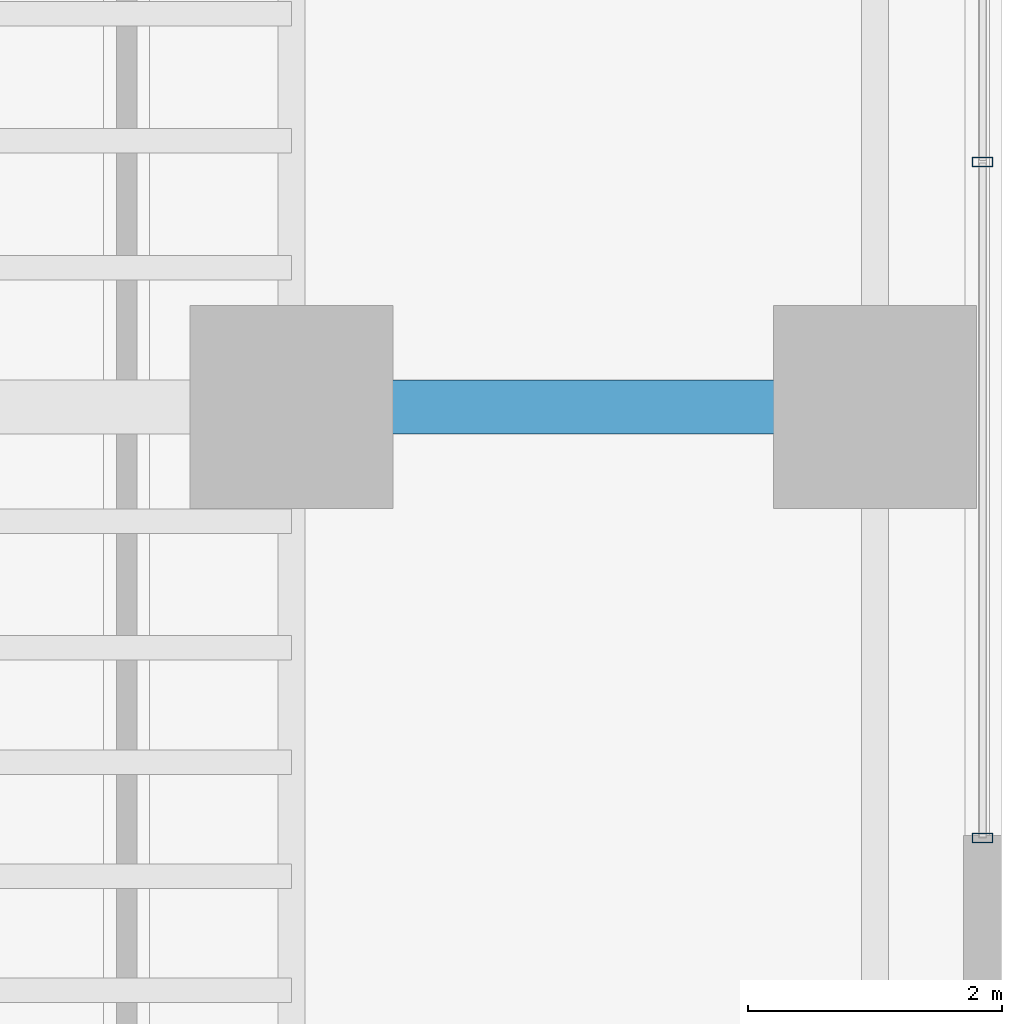
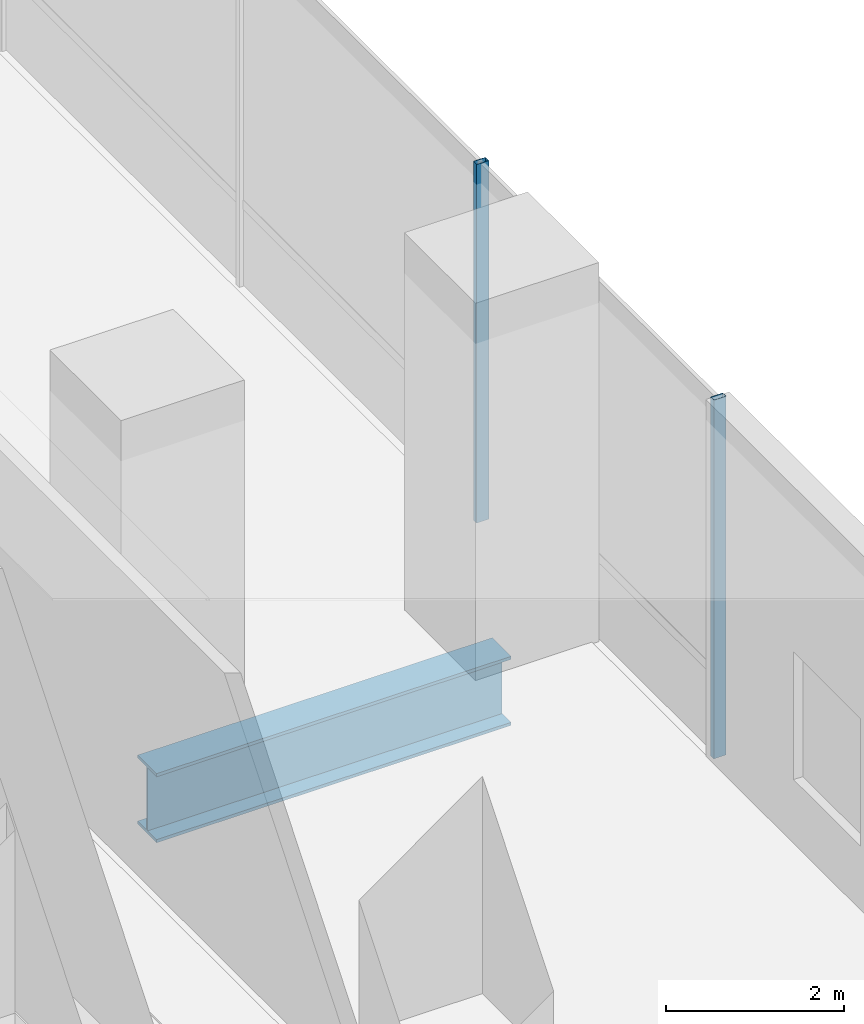
# One storey, part 20 of 39: 2 members, 1 beam, 1 element without a shape of its own.
"""IFC4 building model written with IfcOpenShell, lengths in metres."""

import ifcopenshell
import ifcopenshell.guid

model = None  # the IFC model being written
_history = None  # IfcOwnerHistory: only IFC2X3 demands one
_inside = {}  # id of a spatial element -> (the spatial element, [elements in it])
_under = {}  # id of a project, library or spatial element -> (it, [spatial elements below it])
_declared = {}  # id of a project -> (the project, [libraries it declares])
_typed = {}  # id of a type object -> (the type object, [elements of that type])
_made_of = {}  # id of a material, layer set ... -> (it, [elements and type objects made of it])


def new_model(schema):
    """Start an empty IFC model of exactly this schema.

    Asked for "IFC4X3", IfcOpenShell would pick the latest addendum, in which some entities
    have other attributes; the version numbers below select the first issue.
    IFC2X3 requires an IfcOwnerHistory on every rooted entity: one is made here for all.
    """
    global model, _history
    if schema == "IFC4X3":
        model = ifcopenshell.file(schema_version=(4, 3, 0, 0))
    else:
        model = ifcopenshell.file(schema=schema)
    _inside.clear()
    _under.clear()
    _declared.clear()
    _typed.clear()
    _made_of.clear()
    _history = None
    if model.schema == "IFC2X3":
        org = make("IfcOrganization", Name="unknown")
        user = make(
            "IfcPersonAndOrganization",
            ThePerson=make("IfcPerson", FamilyName="unknown"),
            TheOrganization=org,
        )
        app = make(
            "IfcApplication",
            ApplicationDeveloper=org,
            Version="unknown",
            ApplicationFullName="unknown",
            ApplicationIdentifier="unknown",
        )
        _history = make(
            "IfcOwnerHistory",
            OwningUser=user,
            OwningApplication=app,
            ChangeAction="ADDED",
            CreationDate=0,
        )
    return model


def make(cls, **values):
    """One entity of the class cls with the attributes given. An attribute that is None is left unset."""
    return model.create_entity(
        cls, **{name: value for name, value in values.items() if value is not None}
    )


def rooted(cls, **values):
    """An entity with a GlobalId (a new one), such as an element, a storey or a relation."""
    return make(cls, GlobalId=ifcopenshell.guid.new(), OwnerHistory=_history, **values)


def si_unit(unit_type, name, prefix=None):
    """IfcSIUnit, for example si_unit("LENGTHUNIT", "METRE", prefix="MILLI")."""
    return make("IfcSIUnit", UnitType=unit_type, Prefix=prefix, Name=name)


def assignment(units):
    """IfcUnitAssignment: the units of a project."""
    return None if units is None else make("IfcUnitAssignment", Units=units)


def point(xyz):
    """IfcCartesianPoint."""
    return None if xyz is None else make("IfcCartesianPoint", Coordinates=xyz)


def direction(xyz):
    """IfcDirection."""
    return None if xyz is None else make("IfcDirection", DirectionRatios=xyz)


def frame(location, z_axis=None, x_axis=None):
    """IfcAxis2Placement3D, a coordinate frame: its origin and axes. An axis left out is left unset."""
    return make(
        "IfcAxis2Placement3D",
        Location=point(location),
        Axis=direction(z_axis),
        RefDirection=direction(x_axis),
    )


def frame_2d(location, x_axis=None):
    """IfcAxis2Placement2D, a coordinate frame in the plane: its origin and x axis."""
    return make(
        "IfcAxis2Placement2D", Location=point(location), RefDirection=direction(x_axis)
    )


def origin():
    """The frame at (0, 0, 0) with its axes left unset."""
    return frame((0.0, 0.0, 0.0))


def origin_2d():
    """The frame at (0, 0) in the plane with its x axis left unset."""
    return frame_2d((0.0, 0.0))


def place(relative_to, where):
    """IfcLocalPlacement: puts the frame where relative to a parent placement (None: the world)."""
    return make(
        "IfcLocalPlacement", PlacementRelTo=relative_to, RelativePlacement=where
    )


def context(
    kind, dimensions, precision=None, world=None, true_north=None, identifier=None
):
    """IfcGeometricRepresentationContext, for example the 3D "Model" context."""
    return make(
        "IfcGeometricRepresentationContext",
        ContextIdentifier=identifier,
        ContextType=kind,
        CoordinateSpaceDimension=dimensions,
        Precision=precision,
        WorldCoordinateSystem=world,
        TrueNorth=true_north,
    )


def subcontext(parent, identifier, kind, view, scale=None):
    """IfcGeometricRepresentationSubContext, for example "Body" below "Model"."""
    return make(
        "IfcGeometricRepresentationSubContext",
        ContextIdentifier=identifier,
        ContextType=kind,
        ParentContext=parent,
        TargetScale=scale,
        TargetView=view,
    )


def project(units=None, contexts=None):
    """IfcProject with its units and contexts."""
    return rooted(
        "IfcProject",
        Name="project",
        RepresentationContexts=contexts,
        UnitsInContext=assignment(units),
    )


def spatial(cls, under=None, at=None, **own):
    """A site, building, storey or space (cls), placed at a placement, below another one or the project."""
    s = rooted(cls, ObjectPlacement=at, **own)
    if under is not None:
        _under.setdefault(under.id(), (under, []))[1].append(s)
    return s


def profile(cls, at=None, kind="AREA", **sizes):
    """A parametric profile (cls). Its sizes go by their IFC names, for example OverallWidth=200.0."""
    return make(cls, ProfileType=kind, Position=at, **sizes)


def hollow_rectangle(**sizes):
    """IfcRectangleHollowProfileDef."""
    return profile("IfcRectangleHollowProfileDef", **sizes)


def i_section(**sizes):
    """IfcIShapeProfileDef."""
    return profile("IfcIShapeProfileDef", **sizes)


def extrude(swept, where, along, depth):
    """IfcExtrudedAreaSolid: the profile swept, set in the frame where, extruded along a direction by depth."""
    return make(
        "IfcExtrudedAreaSolid",
        SweptArea=swept,
        Position=where,
        ExtrudedDirection=direction(along),
        Depth=depth,
    )


def shape(context_of_items, identifier, shape_type, items):
    """IfcShapeRepresentation: the items that make up one representation, for example the "Body"."""
    return make(
        "IfcShapeRepresentation",
        ContextOfItems=context_of_items,
        RepresentationIdentifier=identifier,
        RepresentationType=shape_type,
        Items=items,
    )


def source(mapping_origin, context_of_items, identifier, shape_type, items):
    """IfcRepresentationMap: a shape defined once, which mapped items show again and again."""
    return make(
        "IfcRepresentationMap",
        MappingOrigin=mapping_origin,
        MappedRepresentation=shape(context_of_items, identifier, shape_type, items),
    )


def transform(
    local_origin,
    x_axis=None,
    y_axis=None,
    z_axis=None,
    scale=None,
    scale2=None,
    scale3=None,
    uniform=True,
):
    """IfcCartesianTransformationOperator3D, or its non-uniform kind. x_axis, y_axis, z_axis: its Axis1, 2, 3."""
    if uniform:
        return make(
            "IfcCartesianTransformationOperator3D",
            Axis1=direction(x_axis),
            Axis2=direction(y_axis),
            LocalOrigin=point(local_origin),
            Scale=scale,
            Axis3=direction(z_axis),
        )
    return make(
        "IfcCartesianTransformationOperator3DnonUniform",
        Axis1=direction(x_axis),
        Axis2=direction(y_axis),
        LocalOrigin=point(local_origin),
        Scale=scale,
        Axis3=direction(z_axis),
        Scale2=scale2,
        Scale3=scale3,
    )


def mapped(mapping_source, mapping_target):
    """IfcMappedItem: shows the shape of a source again, moved by a transform."""
    return make(
        "IfcMappedItem", MappingSource=mapping_source, MappingTarget=mapping_target
    )


def material(Name=None, Category=None):
    """IfcMaterial."""
    return make("IfcMaterial", Name=Name, Category=Category)


def material_profile(
    of_material, cross_section, Name=None, Category=None, Priority=None
):
    """IfcMaterialProfile: a cross section and its material."""
    return make(
        "IfcMaterialProfile",
        Name=Name,
        Material=of_material,
        Profile=cross_section,
        Priority=Priority,
        Category=Category,
    )


def profile_set(profiles, Name=None, composite=None):
    """IfcMaterialProfileSet."""
    return make(
        "IfcMaterialProfileSet",
        Name=Name,
        MaterialProfiles=profiles,
        CompositeProfile=composite,
    )


def made_of(thing, what):
    """Note that an element or type object is made of a material, layer set ...; save() writes the relation."""
    if what is not None:
        _made_of.setdefault(what.id(), (what, []))[1].append(thing)
    return thing


def type_object(cls, material=None, **own):
    """A type object (cls), such as IfcWallType, which elements share."""
    return made_of(rooted(cls, **own), material)


def element(
    cls,
    number,
    at=None,
    inside=None,
    cuts=None,
    type_object=None,
    material=None,
    context=None,
    identifier="Body",
    shape_type=None,
    held_by="IfcProductDefinitionShape",
    body=None,
    shapes=None,
    **own,
):
    """One element of the class cls, such as IfcWall. Its Tag is "e" and its number.

    at: its placement. inside: the storey or other place that contains it. cuts: it is an
    opening in that element (IfcRelVoidsElement). A single representation is given by context,
    identifier, shape_type and body (its items); several are given by shapes. held_by: the class
    of the entity that holds the representations. save() writes the other relations.
    """
    e = rooted(cls, Tag="e%d" % number, ObjectPlacement=at, **own)
    if body is not None:
        shapes = [shape(context, identifier, shape_type, body)]
    if shapes is not None:
        e.Representation = make(held_by, Representations=shapes)
    if inside is not None:
        _inside.setdefault(inside.id(), (inside, []))[1].append(e)
    if cuts is not None:
        rooted(
            "IfcRelVoidsElement", RelatingBuildingElement=cuts, RelatedOpeningElement=e
        )
    if type_object is not None:
        _typed.setdefault(type_object.id(), (type_object, []))[1].append(e)
    return made_of(e, material)


def aggregate(whole, parts):
    """IfcRelAggregates: a whole, such as a stair, and the parts it consists of."""
    return rooted("IfcRelAggregates", RelatingObject=whole, RelatedObjects=parts)


def save(model, path):
    """Write the relations noted so far, then the file.

    IfcRelAggregates (storeys below a building ...), IfcRelContainedInSpatialStructure (elements
    in a storey), IfcRelDefinesByType, IfcRelAssociatesMaterial and IfcRelDeclares: one each for
    every whole, place, type object, material and project.
    """
    for whole, parts in _under.values():
        aggregate(whole, parts)
    for where, things in _inside.values():
        rooted(
            "IfcRelContainedInSpatialStructure",
            RelatedElements=things,
            RelatingStructure=where,
        )
    for kind, things in _typed.values():
        rooted("IfcRelDefinesByType", RelatedObjects=things, RelatingType=kind)
    for what, things in _made_of.values():
        rooted("IfcRelAssociatesMaterial", RelatedObjects=things, RelatingMaterial=what)
    for by, libraries in _declared.values():
        rooted("IfcRelDeclares", RelatingContext=by, RelatedDefinitions=libraries)
    model.write(path)


model = new_model("IFC4")

# Units and contexts
model_context = context("Model", 3, precision=1e-05, world=origin(), true_north=direction((0.0, 1.0)))
body_context = subcontext(model_context, "Body", "Model", "MODEL_VIEW")
ifc_project = project(units=[si_unit("LENGTHUNIT", "METRE"), si_unit("AREAUNIT", "SQUARE_METRE"), si_unit("VOLUMEUNIT", "CUBIC_METRE"), si_unit("PLANEANGLEUNIT", "RADIAN"), si_unit("MASSUNIT", "GRAM", prefix="KILO")], contexts=[model_context])

# Site, building, storey
site_placement = place(None, origin())
site = spatial("IfcSite", under=ifc_project, at=site_placement, CompositionType="ELEMENT")
building_placement = place(site_placement, origin())
building = spatial("IfcBuilding", under=site, at=building_placement, Name="Valdorenza Pilgrim Sanctuary Tower", CompositionType="ELEMENT")
storey_placement = place(building_placement, frame((0.0, 0.0, 10.39990234375)))
storey = spatial("IfcBuildingStorey", under=building, at=storey_placement, Name="L02", CompositionType="ELEMENT", Elevation=10.39990234375)

# Beam
ifc_material_1 = material(Name="Steel ASTM A992 Grade 50", Category="steel")
ifc_material_profile_1 = material_profile(ifc_material_1, i_section(OverallWidth=0.423095703125, OverallDepth=0.947998046875, WebThickness=0.02392578125, FlangeThickness=0.042724609375, at=origin_2d()), Name="W36X302")
ifc_profile_set_1 = profile_set([ifc_material_profile_1], Name="Steel ASTM A992 Grade 50")
beam_type = type_object("IfcBeamType", Name="STR-BM-GRD-W36A", PredefinedType="BEAM", material=ifc_profile_set_1)
shared_shape_1 = source(origin(), body_context, "Body", "SweptSolid", [
    extrude(i_section(OverallWidth=0.423095703125, OverallDepth=0.947998046875, WebThickness=0.02392578125, FlangeThickness=0.042724609375, at=origin_2d()), origin(), (0.0, 0.0, 1.0), 4.60009765625),
])
beam_placement = place(storey_placement, frame((28.39990234375, -2.60009765625, -0.75390625), z_axis=(1.0, 0.0, 0.0), x_axis=(0.0, 1.0, 0.0)))
element("IfcBeam", 1, at=beam_placement, inside=storey, type_object=beam_type, Name="L02 Floor Girder POD-E-M0", PredefinedType="BEAM", context=body_context, shape_type="MappedRepresentation", body=[
    mapped(shared_shape_1, transform((0.0, 0.0, 0.0), x_axis=(1.0, 0.0, 0.0), y_axis=(0.0, 1.0, 0.0), z_axis=(0.0, 0.0, 1.0), scale=1.0)),
])

# Curtain wall, members
ifc_material_2 = material(Name="Curtain-wall IGU glazing", Category="glass")
curtain_wall_type = type_object("IfcCurtainWallType", Name="CW-SYS-01", PredefinedType="NOTDEFINED", material=ifc_material_2)
curtain_wall_placement = place(storey_placement, origin())
curtain_wall = element("IfcCurtainWall", 2, at=curtain_wall_placement, inside=storey, type_object=curtain_wall_type, Name="L02 Curtain Wall CW-POD-L02-EE", PredefinedType="NOTDEFINED")
ifc_material_3 = material(Name="Anodised aluminium AW-6060", Category="aluminium")
ifc_material_profile_2 = material_profile(ifc_material_3, hollow_rectangle(XDim=0.074951171875, YDim=0.159912109375, WallThickness=0.00390625, at=origin_2d()), Name="ALU-M 160x75x4")
ifc_profile_set_2 = profile_set([ifc_material_profile_2], Name="Anodised aluminium AW-6060")
member_type = type_object("IfcMemberType", Name="CW-MUL-01", PredefinedType="MULLION", material=ifc_profile_set_2)
shared_shape_2 = source(origin(), body_context, "Body", "SweptSolid", [
    extrude(hollow_rectangle(XDim=0.074951171875, YDim=0.159912109375, WallThickness=0.00390625, at=origin_2d()), origin(), (0.0, 0.0, 1.0), 4.920166015625),
])
member_1_placement = place(storey_placement, frame((33.85009765625, -6.0, 0.0), z_axis=(0.0, 0.0, 1.0), x_axis=(0.0, 1.0, 0.0)))
member_1 = element("IfcMember", 3, at=member_1_placement, type_object=member_type, Name="CW-POD-L02-EE Mullion 1", PredefinedType="MULLION", context=body_context, shape_type="MappedRepresentation", body=[
    mapped(shared_shape_2, transform((0.0, 0.0, 0.0), x_axis=(1.0, 0.0, 0.0), y_axis=(0.0, 1.0, 0.0), z_axis=(0.0, 0.0, 1.0), scale=1.0)),
])
member_2_placement = place(storey_placement, frame((33.85009765625, -0.666748046875, 0.0), z_axis=(0.0, 0.0, 1.0), x_axis=(0.0, 1.0, 0.0)))
member_2 = element("IfcMember", 4, at=member_2_placement, type_object=member_type, Name="CW-POD-L02-EE Mullion 2", PredefinedType="MULLION", context=body_context, shape_type="MappedRepresentation", body=[
    mapped(shared_shape_2, transform((0.0, 0.0, 0.0), x_axis=(1.0, 0.0, 0.0), y_axis=(0.0, 1.0, 0.0), z_axis=(0.0, 0.0, 1.0), scale=1.0)),
])
aggregate(curtain_wall, [member_1, member_2])

save(model, "model.ifc")
